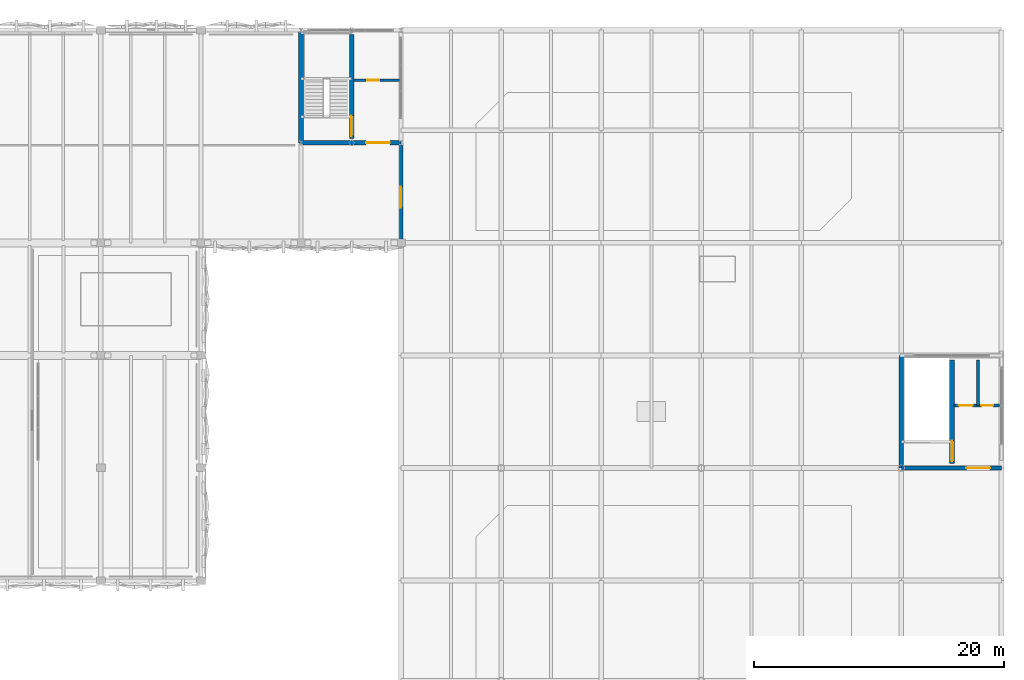
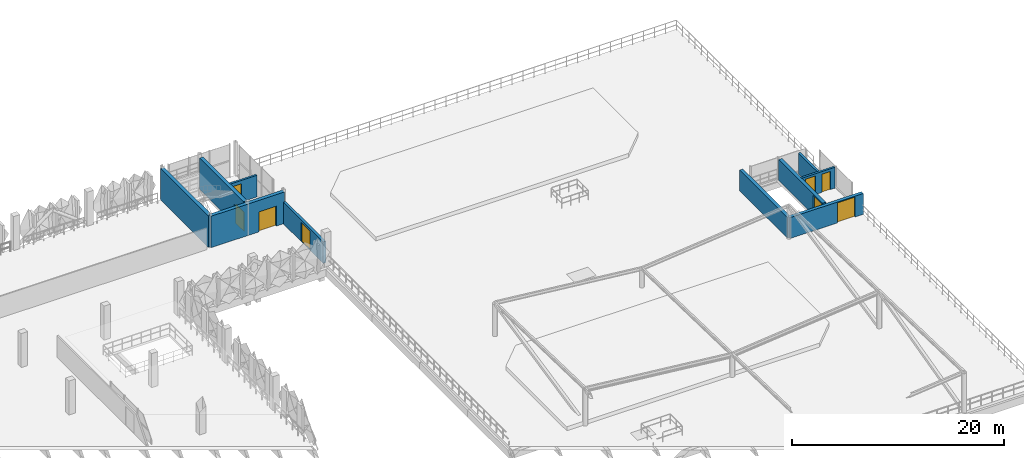
# One storey, part 31 of 52: 10 walls, 8 doors, 8 openings.
"""IFC4 building model written with IfcOpenShell, lengths in metres."""

from ifc_helpers import new_model, si_unit, derived_unit, direction, frame, frame_2d, origin, place, context, subcontext, project, spatial, rectangle, extrude, material, layer, layer_set, type_object, element, fill, save


model = new_model("IFC4")

# Units and contexts
model_context = context("Model", 3, precision=1e-05, world=origin(), true_north=direction((0.0, 1.0)))
body_context = subcontext(model_context, "Body", "Model", "MODEL_VIEW")
ifc_project = project(units=[si_unit("LENGTHUNIT", "METRE"), si_unit("AREAUNIT", "SQUARE_METRE"), si_unit("VOLUMEUNIT", "CUBIC_METRE"), si_unit("PLANEANGLEUNIT", "RADIAN"), si_unit("MASSUNIT", "GRAM", prefix="KILO"), si_unit("THERMODYNAMICTEMPERATUREUNIT", "KELVIN"), derived_unit("THERMALTRANSMITTANCEUNIT", [(si_unit("POWERUNIT", "WATT"), 1), (si_unit("AREAUNIT", "SQUARE_METRE"), -1), (si_unit("THERMODYNAMICTEMPERATUREUNIT", "KELVIN"), -1)])], contexts=[model_context])

# Site, building, storey
site_placement = place(None, origin())
site = spatial("IfcSite", under=ifc_project, at=site_placement, CompositionType="ELEMENT")
building_placement = place(site_placement, origin())
building = spatial("IfcBuilding", under=site, at=building_placement, Name="Haiyu Intermodal Mobility Hub", CompositionType="ELEMENT")
storey_placement = place(building_placement, frame((0.0, 0.0, 21.199951171875)))
storey = spatial("IfcBuildingStorey", under=building, at=storey_placement, Name="L05", CompositionType="ELEMENT", Elevation=21.199951171875)

# Wall, opening, door
ifc_material_1 = material(Name="Anodised aluminium 6063-T6", Category="aluminium")
ifc_layer_1 = layer(ifc_material_1, 0.280029296875)
ifc_layer_set_1 = layer_set([ifc_layer_1], Name="Anodised aluminium 6063-T6")
wall_type_1 = type_object("IfcWallType", Name="WAL-WE02", PredefinedType="STANDARD", material=ifc_layer_set_1)
wall_1_placement = place(storey_placement, frame((162.0, 131.284912109375, 0.0), z_axis=(0.0, 0.0, 1.0), x_axis=(0.0, 1.0, 0.0)))
wall_1 = element("IfcWall", 1, at=wall_1_placement, inside=storey, type_object=wall_type_1, Name="WAL-V6RG-ACC-256", PredefinedType="STANDARD", context=body_context, shape_type="SweptSolid", body=[
    extrude(rectangle(XDim=7.5751953125, YDim=0.280029296875, at=frame_2d((3.78759765625, 0.0))), origin(), (0.0, 0.0, 1.0), 2.47998046875),
])
opening_1_placement = place(wall_1_placement, frame((2.514892578125, 0.0, 0.0)))
opening_1 = element("IfcOpeningElement", 2, at=opening_1_placement, cuts=wall_1, Name="Opening DE07", PredefinedType="OPENING", context=body_context, shape_type="SweptSolid", body=[
    extrude(rectangle(XDim=1.699951171875, YDim=2.199951171875, at=frame_2d((0.85009765625, 1.10009765625))), frame((0.0, 0.14990234375, 0.0), z_axis=(0.0, -1.0, 0.0), x_axis=(1.0, 0.0, 0.0)), (0.0, 0.0, 1.0), 0.300048828125),
])
door_type_1 = type_object("IfcDoorType", Name="DR-DE07", OperationType="DOUBLE_DOOR_SINGLE_SWING", PredefinedType="DOOR", material=ifc_material_1)
door_1_placement = place(opening_1_placement, origin())
door_1 = element("IfcDoor", 3, at=door_1_placement, inside=storey, type_object=door_type_1, Name="WAL-V6RG-ACC-256-DR01", OperationType="DOUBLE_SWING_LEFT", OverallHeight=2.199951171875, OverallWidth=1.699951171875, PredefinedType="DOOR", context=body_context, shape_type="SweptSolid", body=[
    extrude(rectangle(XDim=1.699951171875, YDim=2.199951171875, at=frame_2d((0.85009765625, 1.10009765625))), frame((0.0, 0.02490234375, 0.0), z_axis=(0.0, -1.0, 0.0), x_axis=(1.0, 0.0, 0.0)), (0.0, 0.0, 1.0), 0.050048828125),
])
fill(opening_1, door_1)

ifc_material_2 = material(Name="Autoclaved aerated concrete block A5.0", Category="concrete")
ifc_layer_2 = layer(ifc_material_2, 0.22998046875)
ifc_layer_set_2 = layer_set([ifc_layer_2], Name="Autoclaved aerated concrete block A5.0")
wall_type_2 = type_object("IfcWallType", Name="WAL-WI01", PredefinedType="PARTITIONING", material=ifc_layer_set_2)
wall_2_placement = place(storey_placement, frame((158.2099609375, 144.0, 0.0), z_axis=(0.0, 0.0, 1.0), x_axis=(1.0, 0.0, 0.0)))
wall_2 = element("IfcWall", 4, at=wall_2_placement, inside=storey, type_object=wall_type_2, Name="WAL-CORE-C4-LFT-L05", PredefinedType="PARTITIONING", context=body_context, shape_type="SweptSolid", body=[
    extrude(rectangle(XDim=3.7099609375, YDim=0.22998046875, at=frame_2d((1.85498046875, 0.0))), origin(), (0.0, 0.0, 1.0), 2.47998046875),
])
opening_2_placement = place(wall_2_placement, frame((1.10009765625, 0.0, 0.0)))
opening_2 = element("IfcOpeningElement", 5, at=opening_2_placement, cuts=wall_2, Name="Opening DI07", PredefinedType="OPENING", context=body_context, shape_type="SweptSolid", body=[
    extrude(rectangle(XDim=0.949951171875, YDim=2.10009765625, at=frame_2d((0.47509765625, 1.050048828125))), frame((0.0, 0.125, 0.0), z_axis=(0.0, -1.0, 0.0), x_axis=(1.0, 0.0, 0.0)), (0.0, 0.0, 1.0), 0.25),
])
ifc_material_3 = material(Name="Steel Q355C", Category="steel")
door_type_2 = type_object("IfcDoorType", Name="DR-DI07", OperationType="NOTDEFINED", PredefinedType="DOOR", material=ifc_material_3)
door_2_placement = place(opening_2_placement, origin())
door_2 = element("IfcDoor", 6, at=door_2_placement, inside=storey, type_object=door_type_2, Name="Core C4 Accessible WC Door L05", OperationType="SINGLE_SWING_RIGHT", OverallHeight=2.10009765625, OverallWidth=0.949951171875, PredefinedType="DOOR", context=body_context, shape_type="SweptSolid", body=[
    extrude(rectangle(XDim=0.949951171875, YDim=2.10009765625, at=frame_2d((0.47509765625, 1.050048828125))), frame((0.0, 0.02490234375, 0.0), z_axis=(0.0, -1.0, 0.0), x_axis=(1.0, 0.0, 0.0)), (0.0, 0.0, 1.0), 0.050048828125),
])
fill(opening_2, door_2)

# Wall
wall_3_placement = place(storey_placement, frame((208.1298828125, 118.0, 0.0), z_axis=(0.0, 0.0, 1.0), x_axis=(0.0, 1.0, 0.0)))
element("IfcWall", 7, at=wall_3_placement, inside=storey, type_object=wall_type_2, Name="WAL-CORE-C10-LSH-L05", PredefinedType="PARTITIONING", context=body_context, shape_type="SweptSolid", body=[
    extrude(rectangle(XDim=3.64990234375, YDim=0.22998046875, at=frame_2d((1.824951171875, 0.0))), origin(), (0.0, 0.0, 1.0), 2.400146484375),
])

# Wall, openings, doors
wall_4_placement = place(storey_placement, frame((206.2099609375, 118.0, 0.0), z_axis=(0.0, 0.0, 1.0), x_axis=(1.0, 0.0, 0.0)))
wall_4 = element("IfcWall", 8, at=wall_4_placement, inside=storey, type_object=wall_type_2, Name="WAL-CORE-C10-LFT-L05", PredefinedType="PARTITIONING", context=body_context, shape_type="SweptSolid", body=[
    extrude(rectangle(XDim=3.630126953125, YDim=0.22998046875, at=frame_2d((1.81494140625, 0.0))), origin(), (0.0, 0.0, 1.0), 2.400146484375),
])
opening_3_placement = place(wall_4_placement, frame((0.3798828125, 0.0, 0.0)))
opening_3 = element("IfcOpeningElement", 9, at=opening_3_placement, cuts=wall_4, Name="Opening LD01", PredefinedType="OPENING", context=body_context, shape_type="SweptSolid", body=[
    extrude(rectangle(XDim=1.10009765625, YDim=2.14990234375, at=frame_2d((0.550048828125, 1.074951171875))), frame((0.0, 0.125, 0.0), z_axis=(0.0, -1.0, 0.0), x_axis=(1.0, 0.0, 0.0)), (0.0, 0.0, 1.0), 0.25),
])
opening_4_placement = place(wall_4_placement, frame((2.179931640625, 0.0, 0.0)))
opening_4 = element("IfcOpeningElement", 10, at=opening_4_placement, cuts=wall_4, Name="Opening DI07", PredefinedType="OPENING", context=body_context, shape_type="SweptSolid", body=[
    extrude(rectangle(XDim=0.949951171875, YDim=2.10009765625, at=frame_2d((0.47509765625, 1.050048828125))), frame((0.0, 0.125, 0.0), z_axis=(0.0, -1.0, 0.0), x_axis=(1.0, 0.0, 0.0)), (0.0, 0.0, 1.0), 0.25),
])
door_3_placement = place(opening_4_placement, origin())
door_3 = element("IfcDoor", 11, at=door_3_placement, inside=storey, type_object=door_type_2, Name="Core C10 Accessible WC Door L05", OperationType="SINGLE_SWING_RIGHT", OverallHeight=2.10009765625, OverallWidth=0.949951171875, PredefinedType="DOOR", context=body_context, shape_type="SweptSolid", body=[
    extrude(rectangle(XDim=0.949951171875, YDim=2.10009765625, at=frame_2d((0.47509765625, 1.050048828125))), frame((0.0, 0.02490234375, 0.0), z_axis=(0.0, -1.0, 0.0), x_axis=(1.0, 0.0, 0.0)), (0.0, 0.0, 1.0), 0.050048828125),
])
fill(opening_4, door_3)
door_type_3 = type_object("IfcDoorType", Name="DR-LD01", OperationType="DOUBLE_DOOR_SLIDING", PredefinedType="DOOR", material=ifc_material_3)
door_4_placement = place(opening_3_placement, origin())
door_4 = element("IfcDoor", 12, at=door_4_placement, inside=storey, type_object=door_type_3, Name="Lift FL-04 Sliding Landing Door L05", OperationType="SLIDING_TO_LEFT", OverallHeight=2.14990234375, OverallWidth=1.10009765625, PredefinedType="DOOR", context=body_context, shape_type="SweptSolid", body=[
    extrude(rectangle(XDim=1.10009765625, YDim=2.14990234375, at=frame_2d((0.550048828125, 1.074951171875))), frame((0.0, 0.02490234375, 0.0), z_axis=(0.0, -1.0, 0.0), x_axis=(1.0, 0.0, 0.0)), (0.0, 0.0, 1.0), 0.050048828125),
])
fill(opening_3, door_4)

# Wall, opening, door
ifc_material_4 = material(Name="Concrete C40", Category="concrete")
ifc_layer_3 = layer(ifc_material_4, 0.35009765625)
ifc_layer_set_3 = layer_set([ifc_layer_3], Name="Concrete C40")
wall_type_3 = type_object("IfcWallType", Name="WAL-WS02", PredefinedType="SHEAR", material=ifc_layer_set_3)
wall_5_placement = place(storey_placement, frame((202.0, 113.0, 0.0), z_axis=(0.0, 0.0, 1.0), x_axis=(1.0, 0.0, 0.0)))
wall_5 = element("IfcWall", 13, at=wall_5_placement, inside=storey, type_object=wall_type_3, Name="WAL-CORE-C10-S-L05", PredefinedType="SHEAR", context=body_context, shape_type="SweptSolid", body=[
    extrude(rectangle(XDim=8.0, YDim=0.35009765625, at=frame_2d((4.0, 0.0))), origin(), (0.0, 0.0, 1.0), 2.400146484375),
])
opening_5_placement = place(wall_5_placement, frame((5.199951171875, 0.0, 0.0)))
opening_5 = element("IfcOpeningElement", 14, at=opening_5_placement, cuts=wall_5, Name="Opening DI01", PredefinedType="OPENING", context=body_context, shape_type="SweptSolid", body=[
    extrude(rectangle(XDim=1.89990234375, YDim=2.300048828125, at=frame_2d((0.949951171875, 1.14990234375))), frame((0.0, 0.18505859375, 0.0), z_axis=(0.0, -1.0, 0.0), x_axis=(1.0, 0.0, 0.0)), (0.0, 0.0, 1.0), 0.3701171875),
])
door_type_4 = type_object("IfcDoorType", Name="DR-DI01", OperationType="DOUBLE_DOOR_SINGLE_SWING", PredefinedType="DOOR", material=ifc_material_3)
door_5_placement = place(opening_5_placement, origin())
door_5 = element("IfcDoor", 15, at=door_5_placement, inside=storey, type_object=door_type_4, Name="Core C10 Lobby Fire Door L05", OperationType="SINGLE_SWING_LEFT", OverallHeight=2.300048828125, OverallWidth=1.89990234375, PredefinedType="DOOR", context=body_context, shape_type="SweptSolid", body=[
    extrude(rectangle(XDim=1.89990234375, YDim=2.300048828125, at=frame_2d((0.949951171875, 1.14990234375))), frame((0.0, 0.02490234375, 0.0), z_axis=(0.0, -1.0, 0.0), x_axis=(1.0, 0.0, 0.0)), (0.0, 0.0, 1.0), 0.050048828125),
])
fill(opening_5, door_5)

# Wall
wall_6_placement = place(storey_placement, frame((202.0, 122.0, 0.0), z_axis=(0.0, 0.0, 1.0), x_axis=(0.0, -1.0, 0.0)))
element("IfcWall", 16, at=wall_6_placement, inside=storey, type_object=wall_type_3, Name="WAL-CORE-C10-W-L05", PredefinedType="SHEAR", context=body_context, shape_type="SweptSolid", body=[
    extrude(rectangle(XDim=9.0, YDim=0.35009765625, at=frame_2d((4.5, 0.0))), origin(), (0.0, 0.0, 1.0), 2.400146484375),
])

# Wall, opening, door
ifc_layer_4 = layer(ifc_material_4, 0.3798828125)
ifc_layer_set_4 = layer_set([ifc_layer_4], Name="Concrete C40")
wall_type_4 = type_object("IfcWallType", Name="WAL-WS03", PredefinedType="SHEAR", material=ifc_layer_set_4)
wall_7_placement = place(storey_placement, frame((154.0, 139.0, 0.0), z_axis=(0.0, 0.0, 1.0), x_axis=(1.0, 0.0, 0.0)))
wall_7 = element("IfcWall", 17, at=wall_7_placement, inside=storey, type_object=wall_type_4, Name="WAL-CORE-C4-S-L05", PredefinedType="SHEAR", context=body_context, shape_type="SweptSolid", body=[
    extrude(rectangle(XDim=8.0, YDim=0.3798828125, at=frame_2d((4.0, 0.0))), origin(), (0.0, 0.0, 1.0), 3.6201171875),
])
opening_6_placement = place(wall_7_placement, frame((5.199951171875, 0.0, 0.0)))
opening_6 = element("IfcOpeningElement", 18, at=opening_6_placement, cuts=wall_7, Name="Opening DI01", PredefinedType="OPENING", context=body_context, shape_type="SweptSolid", body=[
    extrude(rectangle(XDim=1.89990234375, YDim=2.300048828125, at=frame_2d((0.949951171875, 1.14990234375))), frame((0.0, 0.199951171875, 0.0), z_axis=(0.0, -1.0, 0.0), x_axis=(1.0, 0.0, 0.0)), (0.0, 0.0, 1.0), 0.39990234375),
])
door_6_placement = place(opening_6_placement, origin())
door_6 = element("IfcDoor", 19, at=door_6_placement, inside=storey, type_object=door_type_4, Name="Core C4 Lobby Fire Door L05", OperationType="SINGLE_SWING_LEFT", OverallHeight=2.300048828125, OverallWidth=1.89990234375, PredefinedType="DOOR", context=body_context, shape_type="SweptSolid", body=[
    extrude(rectangle(XDim=1.89990234375, YDim=2.300048828125, at=frame_2d((0.949951171875, 1.14990234375))), frame((0.0, 0.02490234375, 0.0), z_axis=(0.0, -1.0, 0.0), x_axis=(1.0, 0.0, 0.0)), (0.0, 0.0, 1.0), 0.050048828125),
])
fill(opening_6, door_6)

# Wall
wall_8_placement = place(storey_placement, frame((154.0, 148.0, 0.0), z_axis=(0.0, 0.0, 1.0), x_axis=(0.0, -1.0, 0.0)))
element("IfcWall", 20, at=wall_8_placement, inside=storey, type_object=wall_type_4, Name="WAL-CORE-C4-W-L05", PredefinedType="SHEAR", context=body_context, shape_type="SweptSolid", body=[
    extrude(rectangle(XDim=9.0, YDim=0.3798828125, at=frame_2d((4.5, 0.0))), origin(), (0.0, 0.0, 1.0), 3.6201171875),
])

# Wall, opening, door
wall_9_placement = place(storey_placement, frame((158.050048828125, 139.35009765625, 0.0), z_axis=(0.0, 0.0, 1.0), x_axis=(0.0, 1.0, 0.0)))
wall_9 = element("IfcWall", 21, at=wall_9_placement, inside=storey, type_object=wall_type_4, Name="WAL-CORE-C4-MID-L05", PredefinedType="SHEAR", context=body_context, shape_type="SweptSolid", body=[
    extrude(rectangle(XDim=8.2998046875, YDim=0.3798828125, at=frame_2d((4.14990234375, 0.0))), origin(), (0.0, 0.0, 1.0), 3.6201171875),
])
opening_7_placement = place(wall_9_placement, frame((0.179931640625, 0.0, 0.0)))
opening_7 = element("IfcOpeningElement", 22, at=opening_7_placement, cuts=wall_9, Name="Opening DI02", PredefinedType="OPENING", context=body_context, shape_type="SweptSolid", body=[
    extrude(rectangle(XDim=1.64990234375, YDim=2.199951171875, at=frame_2d((0.824951171875, 1.10009765625))), frame((0.0, 0.199951171875, 0.0), z_axis=(0.0, -1.0, 0.0), x_axis=(1.0, 0.0, 0.0)), (0.0, 0.0, 1.0), 0.39990234375),
])
door_type_5 = type_object("IfcDoorType", Name="DR-DI02", OperationType="DOUBLE_DOOR_SINGLE_SWING", PredefinedType="DOOR", material=ifc_material_3)
door_7_placement = place(opening_7_placement, origin())
door_7 = element("IfcDoor", 23, at=door_7_placement, inside=storey, type_object=door_type_5, Name="Stair ST02 Fire Door L05", OperationType="SINGLE_SWING_LEFT", OverallHeight=2.199951171875, OverallWidth=1.64990234375, PredefinedType="DOOR", context=body_context, shape_type="SweptSolid", body=[
    extrude(rectangle(XDim=1.64990234375, YDim=2.199951171875, at=frame_2d((0.824951171875, 1.10009765625))), frame((0.0, 0.02490234375, 0.0), z_axis=(0.0, -1.0, 0.0), x_axis=(1.0, 0.0, 0.0)), (0.0, 0.0, 1.0), 0.050048828125),
])
fill(opening_7, door_7)

wall_10_placement = place(storey_placement, frame((206.050048828125, 113.35009765625, 0.0), z_axis=(0.0, 0.0, 1.0), x_axis=(0.0, 1.0, 0.0)))
wall_10 = element("IfcWall", 24, at=wall_10_placement, inside=storey, type_object=wall_type_4, Name="WAL-CORE-C10-MID-L05", PredefinedType="SHEAR", context=body_context, shape_type="SweptSolid", body=[
    extrude(rectangle(XDim=8.2998046875, YDim=0.3798828125, at=frame_2d((4.14990234375, 0.0))), origin(), (0.0, 0.0, 1.0), 2.400146484375),
])
opening_8_placement = place(wall_10_placement, frame((0.179931640625, 0.0, 0.0)))
opening_8 = element("IfcOpeningElement", 25, at=opening_8_placement, cuts=wall_10, Name="Opening DI02", PredefinedType="OPENING", context=body_context, shape_type="SweptSolid", body=[
    extrude(rectangle(XDim=1.64990234375, YDim=2.199951171875, at=frame_2d((0.824951171875, 1.10009765625))), frame((0.0, 0.199951171875, 0.0), z_axis=(0.0, -1.0, 0.0), x_axis=(1.0, 0.0, 0.0)), (0.0, 0.0, 1.0), 0.39990234375),
])
door_8_placement = place(opening_8_placement, origin())
door_8 = element("IfcDoor", 26, at=door_8_placement, inside=storey, type_object=door_type_5, Name="Stair ST03 Fire Door L05", OperationType="SINGLE_SWING_LEFT", OverallHeight=2.199951171875, OverallWidth=1.64990234375, PredefinedType="DOOR", context=body_context, shape_type="SweptSolid", body=[
    extrude(rectangle(XDim=1.64990234375, YDim=2.199951171875, at=frame_2d((0.824951171875, 1.10009765625))), frame((0.0, 0.02490234375, 0.0), z_axis=(0.0, -1.0, 0.0), x_axis=(1.0, 0.0, 0.0)), (0.0, 0.0, 1.0), 0.050048828125),
])
fill(opening_8, door_8)

save(model, "model.ifc")
